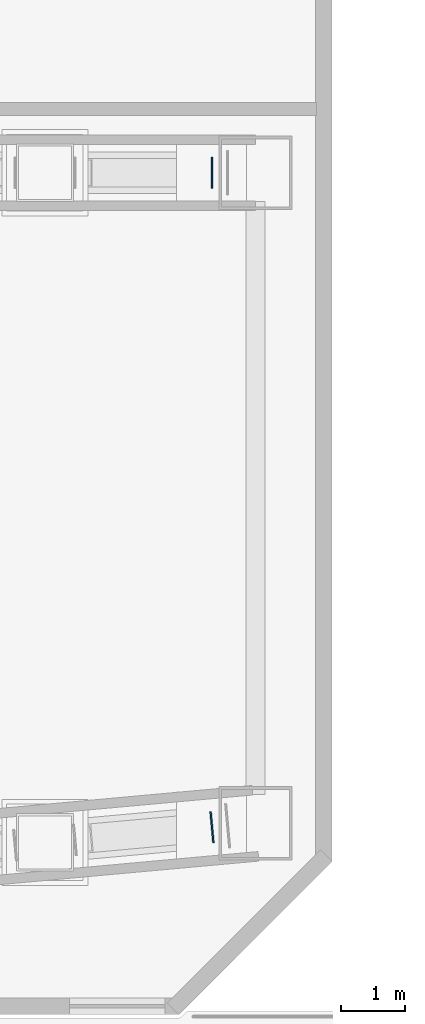
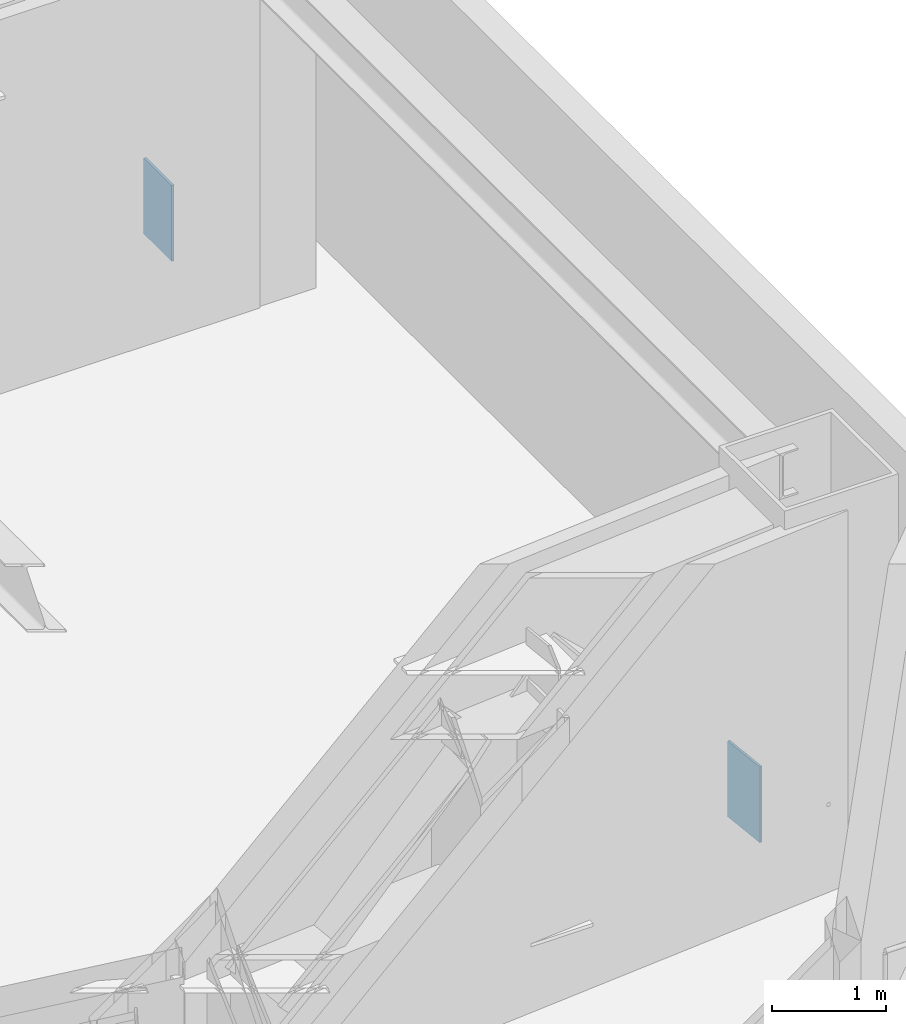
# One storey, part 31 of 39: 2 plates.
"""IFC4 building model written with IfcOpenShell, lengths in metres."""

from ifc_helpers import new_model, si_unit, direction, frame, origin, origin_2d, place, context, subcontext, project, spatial, rectangle, extrude, material, layer, layer_set, type_object, element, save


model = new_model("IFC4")

# Units and contexts
model_context = context("Model", 3, precision=1e-05, world=origin(), true_north=direction((0.0, 1.0)))
body_context = subcontext(model_context, "Body", "Model", "MODEL_VIEW")
ifc_project = project(units=[si_unit("LENGTHUNIT", "METRE"), si_unit("AREAUNIT", "SQUARE_METRE"), si_unit("VOLUMEUNIT", "CUBIC_METRE"), si_unit("PLANEANGLEUNIT", "RADIAN"), si_unit("MASSUNIT", "GRAM", prefix="KILO")], contexts=[model_context])

# Site, building, storey
site_placement = place(None, origin())
site = spatial("IfcSite", under=ifc_project, at=site_placement, CompositionType="ELEMENT")
building_placement = place(site_placement, origin())
building = spatial("IfcBuilding", under=site, at=building_placement, Name="Haolan Belvedere Tower", CompositionType="ELEMENT")
storey_placement = place(building_placement, frame((0.0, 0.0, 19.800048828125)))
storey = spatial("IfcBuildingStorey", under=building, at=storey_placement, Name="L04", CompositionType="ELEMENT", Elevation=19.800048828125)

# Plates
ifc_material = material(Name="Steel Q355B", Category="steel")
ifc_layer = layer(ifc_material, 0.02490234375, Name="Steel Q355B")
ifc_layer_set = layer_set([ifc_layer], Name="Steel Q355B")
plate_type = type_object("IfcPlateType", Name="PL-CAP-25", PredefinedType="SHEET", material=ifc_layer_set)
for number, where, z_axis, x_axis, name in (
    (1, (70.119140625, 17.338134765625, 0.5263671875), (0.0, 0.0, 1.0), (-0.09051090929, 0.995895464042, 0.0), "Hollow steel end-cap plate TT-T5-S-DG2-CAP0"),
    (2, (70.118896484375, 27.60009765625, 0.526123046875), (0.0, 0.0, 1.0), (0.0, 1.0, 0.0), "Hollow steel end-cap plate TT-T5-N-DG2-CAP0"),
):
    element("IfcPlate", number, at=place(storey_placement, frame(where, z_axis=z_axis, x_axis=x_axis)), inside=storey, type_object=plate_type, Name=name, PredefinedType="SHEET", context=body_context, shape_type="SweptSolid", body=[
        extrude(rectangle(XDim=0.489990234375, YDim=0.02490234375, at=origin_2d()), origin(), (0.0, 0.0, 1.0), 0.81005859375),
    ])

save(model, "model.ifc")
